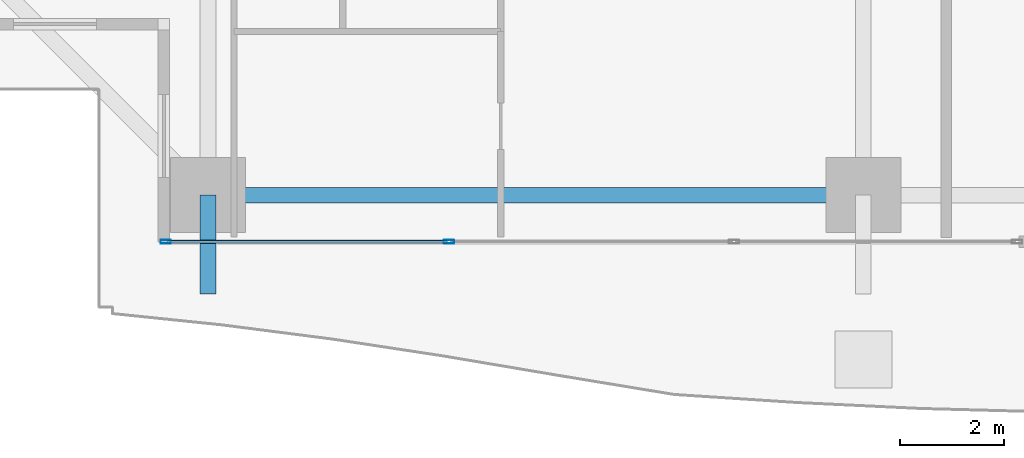
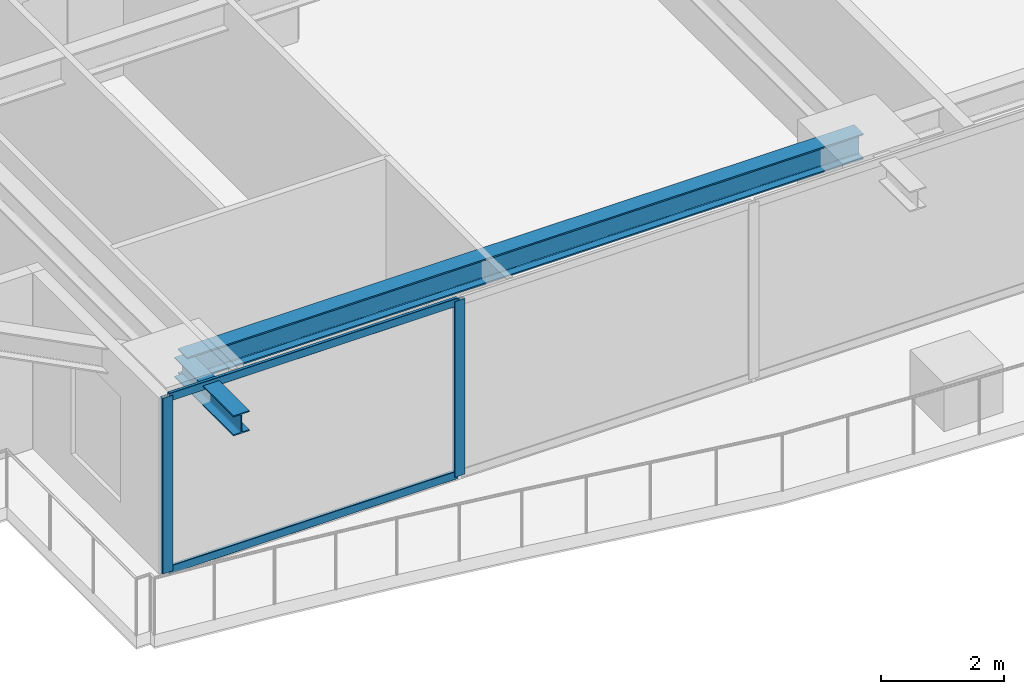
# One storey, part 2 of 39: 4 members, 2 beams, 1 element without a shape of its own.
"""IFC4 building model written with IfcOpenShell, lengths in metres."""

from ifc_helpers import new_model, si_unit, direction, frame, origin, origin_2d, place, context, subcontext, project, spatial, hollow_rectangle, i_section, extrude, source, transform, mapped, material, layer, layer_set, material_profile, profile_set, type_object, element, aggregate, save


model = new_model("IFC4")

# Units and contexts
model_context = context("Model", 3, precision=1e-05, world=origin(), true_north=direction((0.0, 1.0)))
body_context = subcontext(model_context, "Body", "Model", "MODEL_VIEW")
ifc_project = project(units=[si_unit("LENGTHUNIT", "METRE"), si_unit("AREAUNIT", "SQUARE_METRE"), si_unit("VOLUMEUNIT", "CUBIC_METRE"), si_unit("PLANEANGLEUNIT", "RADIAN"), si_unit("MASSUNIT", "GRAM", prefix="KILO")], contexts=[model_context])

# Site, building, storey
site_placement = place(None, origin())
site = spatial("IfcSite", under=ifc_project, at=site_placement, CompositionType="ELEMENT")
building_placement = place(site_placement, origin())
building = spatial("IfcBuilding", under=site, at=building_placement, Name="Serunith Strait Residences", CompositionType="ELEMENT")
storey_placement = place(building_placement, frame((0.0, 0.0, 79.199951171875)))
storey = spatial("IfcBuildingStorey", under=building, at=storey_placement, Name="L19", CompositionType="ELEMENT", Elevation=79.199951171875)

# Beams
ifc_material_1 = material(Name="Steel S355J2", Category="steel")
ifc_material_profile_1 = material_profile(ifc_material_1, i_section(OverallWidth=0.300048828125, OverallDepth=0.5, WebThickness=0.014404296875, FlangeThickness=0.028076171875, FilletRadius=0.027099609375, at=origin_2d()), Name="HEB 500")
ifc_profile_set_1 = profile_set([ifc_material_profile_1], Name="Steel S355J2")
beam_type_1 = type_object("IfcBeamType", Name="BM-HEB500", PredefinedType="BEAM", material=ifc_profile_set_1)
shared_shape_1 = source(origin(), body_context, "Body", "SweptSolid", [
    extrude(i_section(OverallWidth=0.300048828125, OverallDepth=0.5, WebThickness=0.014404296875, FlangeThickness=0.028076171875, FilletRadius=0.027099609375, at=origin_2d()), origin(), (0.0, 0.0, 1.0), 12.64990234375),
])
beam_1_placement = place(storey_placement, frame((15.25, 1.10009765625, 3.237060546875), z_axis=(1.0, 0.0, 0.0), x_axis=(0.0, 1.0, 0.0)))
element("IfcBeam", 1, at=beam_1_placement, inside=storey, type_object=beam_type_1, Name="L19 Perimeter Ring Beam 01", PredefinedType="BEAM", context=body_context, shape_type="MappedRepresentation", body=[
    mapped(shared_shape_1, transform((0.0, 0.0, 0.0), scale=1.0)),
])
ifc_material_profile_2 = material_profile(ifc_material_1, i_section(OverallWidth=0.300048828125, OverallDepth=0.39990234375, WebThickness=0.013427734375, FlangeThickness=0.02392578125, FilletRadius=0.027099609375, at=origin_2d()), Name="HEB 400")
ifc_profile_set_2 = profile_set([ifc_material_profile_2], Name="Steel S355J2")
beam_type_2 = type_object("IfcBeamType", Name="BM-HEB400", PredefinedType="BEAM", material=ifc_profile_set_2)
shared_shape_2 = source(origin(), body_context, "Body", "SweptSolid", [
    extrude(i_section(OverallWidth=0.300048828125, OverallDepth=0.39990234375, WebThickness=0.013427734375, FlangeThickness=0.02392578125, FilletRadius=0.027099609375, at=origin_2d()), origin(), (0.0, 0.0, 1.0), 1.91015625),
])
beam_2_placement = place(storey_placement, frame((15.25, 1.10009765625, 3.257080078125), z_axis=(0.0, -1.0, 0.0), x_axis=(1.0, 0.0, 0.0)))
element("IfcBeam", 2, at=beam_2_placement, inside=storey, type_object=beam_type_2, Name="L20 Cantilevered Balcony Rib TC-S1", PredefinedType="BEAM", context=body_context, shape_type="MappedRepresentation", body=[
    mapped(shared_shape_2, transform((0.0, 0.0, 0.0), scale=1.0)),
])

# Curtain wall, members
ifc_material_2 = material(Name="Pale-Champagne Anodised Aluminium", Category="aluminium")
ifc_layer = layer(ifc_material_2, 0.199951171875, Name="Pale-Champagne Anodised Aluminium")
ifc_layer_set = layer_set([ifc_layer], Name="Pale-Champagne Anodised Aluminium")
curtain_wall_type = type_object("IfcCurtainWallType", Name="CW-SYS1", PredefinedType="NOTDEFINED", material=ifc_layer_set)
curtain_wall_placement = place(storey_placement, origin())
curtain_wall = element("IfcCurtainWall", 3, at=curtain_wall_placement, inside=storey, type_object=curtain_wall_type, Name="L19 S Unitised Fritted Curtain Wall", PredefinedType="NOTDEFINED")
ifc_material_profile_3 = material_profile(ifc_material_2, hollow_rectangle(XDim=0.070068359375, YDim=0.199951171875, WallThickness=0.00390625, InnerFilletRadius=0.006103515625, OuterFilletRadius=0.010009765625, at=origin_2d()), Name="ALU 200x70x4")
ifc_profile_set_3 = profile_set([ifc_material_profile_3], Name="Pale-Champagne Anodised Aluminium")
member_type_1 = type_object("IfcMemberType", Name="CW-SYS1-MULL", PredefinedType="MULLION", material=ifc_profile_set_3)
shared_shape_3 = source(origin(), body_context, "Body", "SweptSolid", [
    extrude(hollow_rectangle(XDim=0.070068359375, YDim=0.199951171875, WallThickness=0.00390625, InnerFilletRadius=0.006103515625, OuterFilletRadius=0.010009765625, at=origin_2d()), origin(), (0.0, 0.0, 1.0), 3.47509765625),
])
member_1_placement = place(storey_placement, frame((14.43505859375, 0.199951171875, 0.0), z_axis=(0.0, 0.0, 1.0), x_axis=(0.0, 1.0, 0.0)))
member_1 = element("IfcMember", 4, at=member_1_placement, type_object=member_type_1, Name="CW-1 mullion 1", PredefinedType="MULLION", context=body_context, shape_type="MappedRepresentation", body=[
    mapped(shared_shape_3, transform((0.0, 0.0, 0.0), scale=1.0)),
])
member_2_placement = place(storey_placement, frame((19.89990234375, 0.199951171875, 0.0), z_axis=(0.0, 0.0, 1.0), x_axis=(0.0, 1.0, 0.0)))
member_2 = element("IfcMember", 5, at=member_2_placement, type_object=member_type_1, Name="CW-1 mullion 2", PredefinedType="MULLION", context=body_context, shape_type="MappedRepresentation", body=[
    mapped(shared_shape_3, transform((0.0, 0.0, 0.0), scale=1.0)),
])
ifc_material_profile_4 = material_profile(ifc_material_2, hollow_rectangle(XDim=0.06005859375, YDim=0.159912109375, WallThickness=0.00341796875, InnerFilletRadius=0.00537109375, OuterFilletRadius=0.0087890625, at=origin_2d()), Name="ALU 160x60x3.5")
ifc_profile_set_4 = profile_set([ifc_material_profile_4], Name="Pale-Champagne Anodised Aluminium")
member_type_2 = type_object("IfcMemberType", Name="CW-SYS1-TRAN", PredefinedType="USERDEFINED", material=ifc_profile_set_4)
shared_shape_4 = source(origin(), body_context, "Body", "SweptSolid", [
    extrude(hollow_rectangle(XDim=0.06005859375, YDim=0.159912109375, WallThickness=0.00341796875, InnerFilletRadius=0.00537109375, OuterFilletRadius=0.0087890625, at=origin_2d()), origin(), (0.0, 0.0, 1.0), 5.39501953125),
])
member_3_placement = place(storey_placement, frame((14.469970703125, 0.199951171875, 0.030029296875), z_axis=(1.0, 0.0, 0.0), x_axis=(0.0, 1.0, 0.0)))
member_3 = element("IfcMember", 6, at=member_3_placement, type_object=member_type_2, Name="CW-1 transom 1.1", ObjectType="TRANSOM", PredefinedType="USERDEFINED", context=body_context, shape_type="MappedRepresentation", body=[
    mapped(shared_shape_4, transform((0.0, 0.0, 0.0), scale=1.0)),
])
member_4_placement = place(storey_placement, frame((14.469970703125, 0.199951171875, 3.445068359375), z_axis=(1.0, 0.0, 0.0), x_axis=(0.0, 1.0, 0.0)))
member_4 = element("IfcMember", 7, at=member_4_placement, type_object=member_type_2, Name="CW-1 transom 1.2", ObjectType="TRANSOM", PredefinedType="USERDEFINED", context=body_context, shape_type="MappedRepresentation", body=[
    mapped(shared_shape_4, transform((0.0, 0.0, 0.0), scale=1.0)),
])
aggregate(curtain_wall, [member_1, member_2, member_3, member_4])

save(model, "model.ifc")
